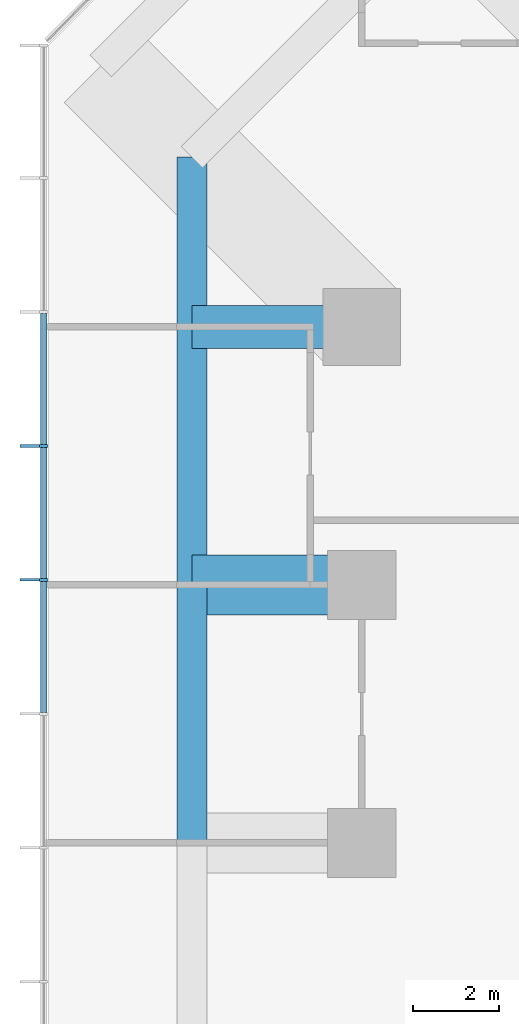
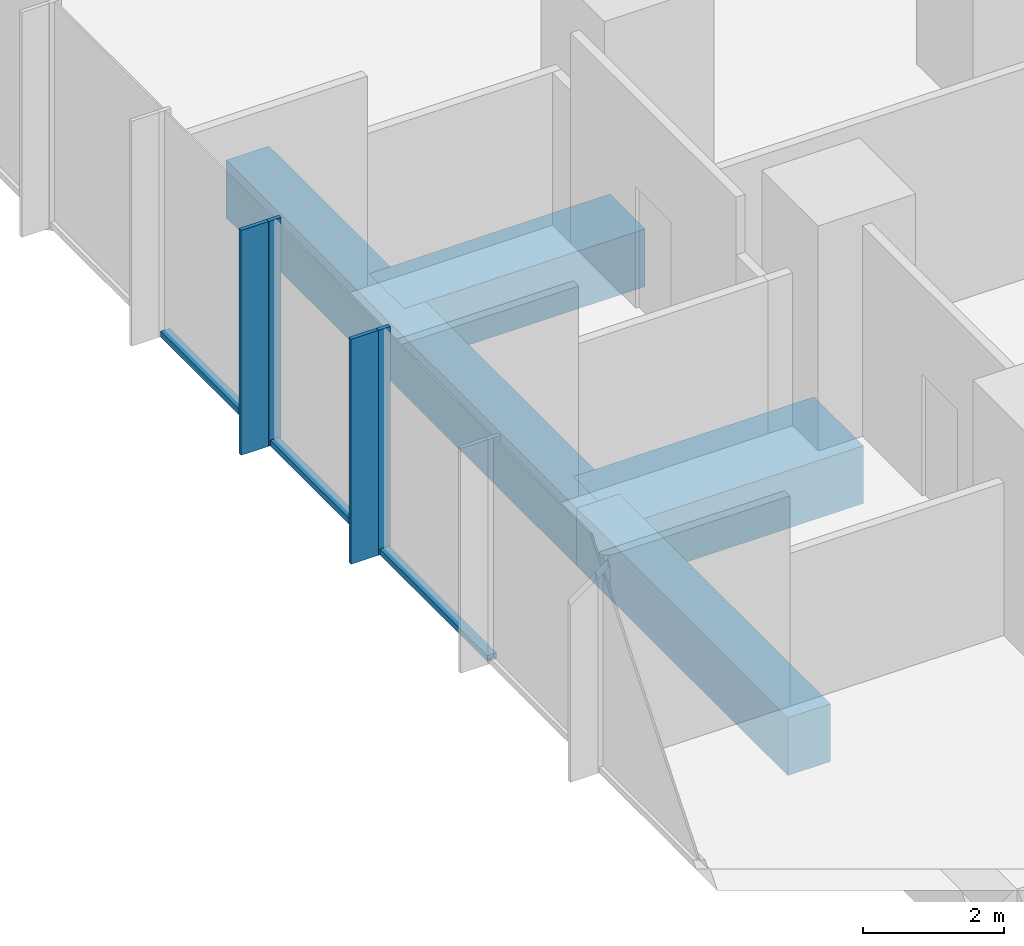
# One storey, part 3 of 11: 7 members, 4 beams, 1 element without a shape of its own.
"""IFC4 building model written with IfcOpenShell, lengths in metres."""

from ifc_helpers import new_model, si_unit, direction, frame, origin, origin_2d, place, context, subcontext, project, spatial, rectangle, extrude, material, layer, layer_set, material_profile, profile_set, type_object, element, aggregate, save


model = new_model("IFC4")

# Units and contexts
model_context = context("Model", 3, precision=1e-05, world=origin(), true_north=direction((0.0, 1.0)))
body_context = subcontext(model_context, "Body", "Model", "MODEL_VIEW")
ifc_project = project(units=[si_unit("LENGTHUNIT", "METRE"), si_unit("AREAUNIT", "SQUARE_METRE"), si_unit("VOLUMEUNIT", "CUBIC_METRE"), si_unit("PLANEANGLEUNIT", "RADIAN"), si_unit("MASSUNIT", "GRAM", prefix="KILO")], contexts=[model_context])

# Site, building, storey
site_placement = place(None, origin())
site = spatial("IfcSite", under=ifc_project, at=site_placement, CompositionType="ELEMENT")
building_placement = place(site_placement, origin())
building = spatial("IfcBuilding", under=site, at=building_placement, Name="Highveld Stack Headquarters", CompositionType="ELEMENT")
storey_placement = place(building_placement, frame((0.0, 0.0, 105.5)))
storey = spatial("IfcBuildingStorey", under=building, at=storey_placement, Name="L25", CompositionType="ELEMENT", Elevation=105.5)

# Beams
ifc_material_1 = material(Name="Concrete C60/75", Category="concrete")
ifc_material_profile_1 = material_profile(ifc_material_1, rectangle(XDim=1.0, YDim=1.0, at=origin_2d()), Name="RC 1000x1000")
ifc_profile_set_1 = profile_set([ifc_material_profile_1], Name="Concrete C60/75")
beam_type_1 = type_object("IfcBeamType", Name="CANTILEVER RIB RC 1000x1000", PredefinedType="USERDEFINED", material=ifc_profile_set_1)
beam_1_placement = place(storey_placement, frame((-18.0, 18.0, -0.75), z_axis=(-1.0, 0.0, 0.0), x_axis=(0.0, -1.0, 0.0)))
element("IfcBeam", 1, at=beam_1_placement, inside=storey, type_object=beam_type_1, Name="Cantilever rib 3/H L25", ObjectType="CANTILEVER RIB", PredefinedType="USERDEFINED", context=body_context, shape_type="SweptSolid", body=[
    extrude(rectangle(XDim=1.0, YDim=1.0, at=origin_2d()), origin(), (0.0, 0.0, 1.0), 3.949951171875),
])
ifc_material_2 = material(Name="Concrete C60/75", Category="concrete")
ifc_material_profile_2 = material_profile(ifc_material_2, rectangle(XDim=1.39990234375, YDim=1.0, at=origin_2d()), Name="RC 1400x1000")
ifc_profile_set_2 = profile_set([ifc_material_profile_2], Name="Concrete C60/75")
beam_type_2 = type_object("IfcBeamType", Name="CANTILEVER RIB RC 1400x1000", PredefinedType="USERDEFINED", material=ifc_profile_set_2)
beam_2_placement = place(storey_placement, frame((-18.0, 12.0, -0.75), z_axis=(-1.0, 0.0, 0.0), x_axis=(0.0, -1.0, 0.0)))
element("IfcBeam", 2, at=beam_2_placement, inside=storey, type_object=beam_type_2, Name="Cantilever rib 3/G L25", ObjectType="CANTILEVER RIB", PredefinedType="USERDEFINED", context=body_context, shape_type="SweptSolid", body=[
    extrude(rectangle(XDim=1.39990234375, YDim=1.0, at=origin_2d()), origin(), (0.0, 0.0, 1.0), 3.949951171875),
])

# Curtain wall, members
ifc_material_3 = material(Name="Aluminium bronze anodised", Category="aluminium")
ifc_layer = layer(ifc_material_3, 0.199951171875)
ifc_layer_set = layer_set([ifc_layer], Name="Aluminium bronze anodised")
curtain_wall_type = type_object("IfcCurtainWallType", Name="CW1 TOWER UNITISED CURTAIN WALL", PredefinedType="NOTDEFINED", material=ifc_layer_set)
curtain_wall_placement = place(storey_placement, origin())
curtain_wall = element("IfcCurtainWall", 3, at=curtain_wall_placement, inside=storey, type_object=curtain_wall_type, Name="Curtain wall CW1 L25 W", PredefinedType="NOTDEFINED")
ifc_material_4 = material(Name="Aluminium bronze anodised", Category="aluminium")
ifc_material_profile_3 = material_profile(ifc_material_4, rectangle(XDim=0.449951171875, YDim=0.06005859375, at=origin_2d()), Name="FIN 450x60")
ifc_profile_set_3 = profile_set([ifc_material_profile_3], Name="Aluminium bronze anodised")
member_type_1 = type_object("IfcMemberType", Name="CW1 BRONZE FIN 450x60", PredefinedType="USERDEFINED", material=ifc_profile_set_3)
member_1_placement = place(storey_placement, frame((-25.72509765625, 15.23193359375, 0.0), z_axis=(0.0, 0.0, 1.0), x_axis=(1.0, 0.0, 0.0)))
member_1 = element("IfcMember", 4, at=member_1_placement, type_object=member_type_1, Name="CW1 fin L25 4", ObjectType="FIN", PredefinedType="USERDEFINED", context=body_context, shape_type="SweptSolid", body=[
    extrude(rectangle(XDim=0.449951171875, YDim=0.06005859375, at=origin_2d()), origin(), (0.0, 0.0, 1.0), 3.89990234375),
])
member_2_placement = place(storey_placement, frame((-25.72509765625, 12.115966796875, 0.0), z_axis=(0.0, 0.0, 1.0), x_axis=(1.0, 0.0, 0.0)))
member_2 = element("IfcMember", 5, at=member_2_placement, type_object=member_type_1, Name="CW1 fin L25 5", ObjectType="FIN", PredefinedType="USERDEFINED", context=body_context, shape_type="SweptSolid", body=[
    extrude(rectangle(XDim=0.449951171875, YDim=0.06005859375, at=origin_2d()), origin(), (0.0, 0.0, 1.0), 3.89990234375),
])
ifc_material_5 = material(Name="Aluminium bronze anodised", Category="aluminium")
ifc_material_profile_4 = material_profile(ifc_material_5, rectangle(XDim=0.199951171875, YDim=0.06494140625, at=origin_2d()), Name="CW1 MULLION 65x200")
ifc_profile_set_4 = profile_set([ifc_material_profile_4], Name="Aluminium bronze anodised")
member_type_2 = type_object("IfcMemberType", Name="CW1 MULLION 65x200", PredefinedType="MULLION", material=ifc_profile_set_4)
member_3_placement = place(storey_placement, frame((-25.39990234375, 15.23193359375, 0.0), z_axis=(0.0, 0.0, 1.0), x_axis=(1.0, 0.0, 0.0)))
member_3 = element("IfcMember", 6, at=member_3_placement, type_object=member_type_2, Name="CW1 mullion L25 4", PredefinedType="MULLION", context=body_context, shape_type="SweptSolid", body=[
    extrude(rectangle(XDim=0.199951171875, YDim=0.06494140625, at=origin_2d()), origin(), (0.0, 0.0, 1.0), 3.89990234375),
])
member_4_placement = place(storey_placement, frame((-25.39990234375, 12.115966796875, 0.0), z_axis=(0.0, 0.0, 1.0), x_axis=(1.0, 0.0, 0.0)))
member_4 = element("IfcMember", 7, at=member_4_placement, type_object=member_type_2, Name="CW1 mullion L25 5", PredefinedType="MULLION", context=body_context, shape_type="SweptSolid", body=[
    extrude(rectangle(XDim=0.199951171875, YDim=0.06494140625, at=origin_2d()), origin(), (0.0, 0.0, 1.0), 3.89990234375),
])
ifc_material_6 = material(Name="Aluminium bronze anodised", Category="aluminium")
ifc_material_profile_5 = material_profile(ifc_material_6, rectangle(XDim=0.14990234375, YDim=0.10009765625, at=origin_2d()), Name="CW1 TRANSOM 150x100")
ifc_profile_set_5 = profile_set([ifc_material_profile_5], Name="Aluminium bronze anodised")
member_type_3 = type_object("IfcMemberType", Name="CW1 STACK TRANSOM 150x100", PredefinedType="USERDEFINED", material=ifc_profile_set_5)
member_5_placement = place(storey_placement, frame((-25.39990234375, 18.3154296875, 0.050048828125), z_axis=(0.0, -1.0, 0.0), x_axis=(1.0, 0.0, 0.0)))
member_5 = element("IfcMember", 8, at=member_5_placement, type_object=member_type_3, Name="CW1 transom L25 3.1", ObjectType="TRANSOM", PredefinedType="USERDEFINED", context=body_context, shape_type="SweptSolid", body=[
    extrude(rectangle(XDim=0.14990234375, YDim=0.10009765625, at=origin_2d()), origin(), (0.0, 0.0, 1.0), 3.051025390625),
])
member_6_placement = place(storey_placement, frame((-25.39990234375, 15.199462890625, 0.050048828125), z_axis=(0.0, -1.0, 0.0), x_axis=(1.0, 0.0, 0.0)))
member_6 = element("IfcMember", 9, at=member_6_placement, type_object=member_type_3, Name="CW1 transom L25 4.1", ObjectType="TRANSOM", PredefinedType="USERDEFINED", context=body_context, shape_type="SweptSolid", body=[
    extrude(rectangle(XDim=0.14990234375, YDim=0.10009765625, at=origin_2d()), origin(), (0.0, 0.0, 1.0), 3.051025390625),
])
member_7_placement = place(storey_placement, frame((-25.39990234375, 12.08349609375, 0.050048828125), z_axis=(0.0, -1.0, 0.0), x_axis=(1.0, 0.0, 0.0)))
member_7 = element("IfcMember", 10, at=member_7_placement, type_object=member_type_3, Name="CW1 transom L25 5.1", ObjectType="TRANSOM", PredefinedType="USERDEFINED", context=body_context, shape_type="SweptSolid", body=[
    extrude(rectangle(XDim=0.14990234375, YDim=0.10009765625, at=origin_2d()), origin(), (0.0, 0.0, 1.0), 3.051025390625),
])
aggregate(curtain_wall, [member_3, member_1, member_4, member_2, member_5, member_6, member_7])

# Beams
ifc_material_7 = material(Name="Concrete C60/75", Category="concrete")
ifc_material_profile_6 = material_profile(ifc_material_7, rectangle(XDim=0.699951171875, YDim=1.0, at=origin_2d()), Name="RC 700x1000")
ifc_profile_set_6 = profile_set([ifc_material_profile_6], Name="Concrete C60/75")
beam_type_3 = type_object("IfcBeamType", Name="RIB TIP BEAM RC 700x1000", PredefinedType="SPANDREL", material=ifc_profile_set_6)
beam_3_placement = place(storey_placement, frame((-21.949951171875, 6.0, -0.75), z_axis=(0.0, 1.0, 0.0), x_axis=(-1.0, 0.0, 0.0)))
element("IfcBeam", 11, at=beam_3_placement, inside=storey, type_object=beam_type_3, Name="Rib tip beam 3/F to 3/G L25", PredefinedType="SPANDREL", context=body_context, shape_type="SweptSolid", body=[
    extrude(rectangle(XDim=0.699951171875, YDim=1.0, at=origin_2d()), origin(), (0.0, 0.0, 1.0), 6.0),
])
beam_4_placement = place(storey_placement, frame((-21.949951171875, 12.0, -0.75), z_axis=(0.0, 1.0, 0.0), x_axis=(-1.0, 0.0, 0.0)))
element("IfcBeam", 12, at=beam_4_placement, inside=storey, type_object=beam_type_3, Name="Rib tip beam 3/G to 3/H L25", PredefinedType="SPANDREL", context=body_context, shape_type="SweptSolid", body=[
    extrude(rectangle(XDim=0.699951171875, YDim=1.0, at=origin_2d()), origin(), (0.0, 0.0, 1.0), 9.949951171875),
])

save(model, "model.ifc")
